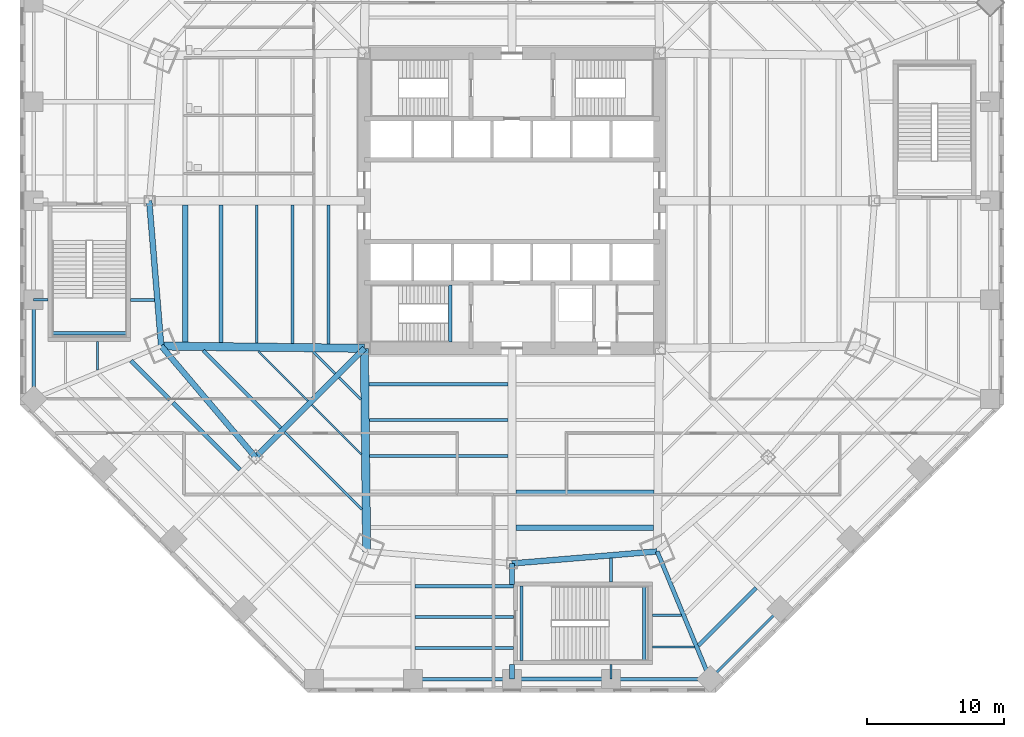
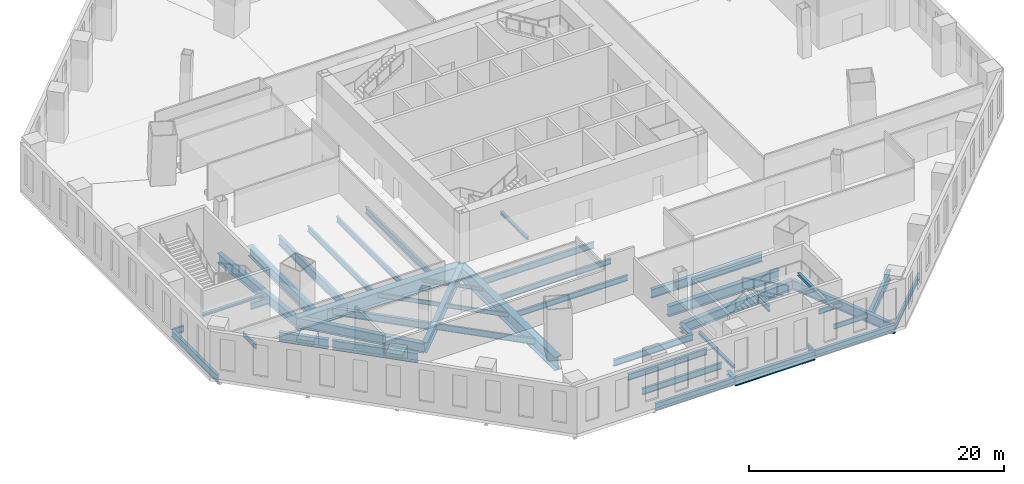
# One storey, part 2 of 19: 43 beams, 4 members.
"""IFC4 building model written with IfcOpenShell, lengths in metres."""

from ifc_helpers import new_model, si_unit, direction, frame, origin, origin_2d, place, context, subcontext, project, spatial, i_section, extrude, source, transform, mapped, material, material_profile, profile_set, type_object, type_shapes, element, save


model = new_model("IFC4")

# Units and contexts
model_context = context("Model", 3, precision=1e-05, world=origin(), true_north=direction((0.0, 1.0)))
body_context = subcontext(model_context, "Body", "Model", "MODEL_VIEW")
ifc_project = project(units=[si_unit("LENGTHUNIT", "METRE"), si_unit("AREAUNIT", "SQUARE_METRE"), si_unit("VOLUMEUNIT", "CUBIC_METRE"), si_unit("PLANEANGLEUNIT", "RADIAN"), si_unit("MASSUNIT", "GRAM", prefix="KILO")], contexts=[model_context])

# Site, building, storey
site_placement = place(None, origin())
site = spatial("IfcSite", under=ifc_project, at=site_placement, CompositionType="ELEMENT")
building_placement = place(site_placement, origin())
building = spatial("IfcBuilding", under=site, at=building_placement, Name="Mashrafa Tower", CompositionType="ELEMENT")
storey_placement = place(building_placement, frame((0.0, 0.0, 24.0)))
storey = spatial("IfcBuildingStorey", under=building, at=storey_placement, Name="L04", CompositionType="ELEMENT", Elevation=24.0)

# Beams
ifc_material_1 = material(Name="Steel ASTM A572 Gr 50", Category="steel")
ifc_material_profile_1 = material_profile(ifc_material_1, i_section(OverallWidth=0.60009765625, OverallDepth=1.300048828125, WebThickness=0.028076171875, FlangeThickness=0.06494140625, at=origin_2d()), Name="H1300X600X28X65")
ifc_profile_set_1 = profile_set([ifc_material_profile_1], Name="Steel ASTM A572 Gr 50")
beam_type_1 = type_object("IfcBeamType", Name="Beam H1300X600X28X65", PredefinedType="BEAM", material=ifc_profile_set_1)
for number, where, z_axis, x_axis, name in (
    (1, (-10.800048828125, -10.800048828125, -0.949951171875), (-0.999935429535, 0.011363835661, 0.0), (-0.011363835661, -0.999935429535, 0.0), "Radial girder L04 209"),
    (2, (-10.800048828125, -10.800048828125, -0.949951171875), (0.011363835661, -0.999935429535, 0.0), (0.999935429535, 0.011363835661, 0.0), "Radial girder L04 211"),
):
    element("IfcBeam", number, at=place(storey_placement, frame(where, z_axis=z_axis, x_axis=x_axis)), inside=storey, type_object=beam_type_1, Name=name, PredefinedType="BEAM", context=body_context, shape_type="SweptSolid", body=[
        extrude(i_section(OverallWidth=0.60009765625, OverallDepth=1.300048828125, WebThickness=0.028076171875, FlangeThickness=0.06494140625, at=origin_2d()), origin(), (0.0, 0.0, 1.0), 14.866943359375),
    ])
ifc_material_2 = material(Name="Steel ASTM A992", Category="steel")
ifc_material_profile_2 = material_profile(ifc_material_2, i_section(OverallWidth=0.164794921875, OverallDepth=0.309814453125, WebThickness=0.005859375, FlangeThickness=0.009765625, FilletRadius=0.007568359375, at=origin_2d()), Name="W12X26")
ifc_profile_set_2 = profile_set([ifc_material_profile_2], Name="Steel ASTM A992")
beam_type_2 = type_object("IfcBeamType", Name="Beam W12X26", PredefinedType="BEAM", material=ifc_profile_set_2)
for number, where, z_axis, x_axis, name in (
    (3, (-12.9423828125, -12.642333984375, -0.454833984375), (-0.707106781187, 0.707106781187, 0.0), (-0.707106781187, -0.707106781187, 0.0), "Floor beam L04 037"),
    (4, (-11.0576171875, -14.527099609375, -0.454833984375), (-0.707106781187, 0.707106781187, 0.0), (-0.707106781187, -0.707106781187, 0.0), "Floor beam L04 043"),
):
    element("IfcBeam", number, at=place(storey_placement, frame(where, z_axis=z_axis, x_axis=x_axis)), inside=storey, type_object=beam_type_2, Name=name, PredefinedType="BEAM", context=body_context, shape_type="SweptSolid", body=[
        extrude(i_section(OverallWidth=0.164794921875, OverallDepth=0.309814453125, WebThickness=0.005859375, FlangeThickness=0.009765625, FilletRadius=0.007568359375, at=origin_2d()), origin(), (0.0, 0.0, 1.0), 2.2412109375),
    ])
ifc_material_3 = material(Name="Steel ASTM A992", Category="steel")
ifc_material_profile_3 = material_profile(ifc_material_3, i_section(OverallWidth=0.140380859375, OverallDepth=0.40380859375, WebThickness=0.007080078125, FlangeThickness=0.01123046875, FilletRadius=0.01025390625, at=origin_2d()), Name="W16X31")
ifc_profile_set_3 = profile_set([ifc_material_profile_3], Name="Steel ASTM A992")
beam_type_3 = type_object("IfcBeamType", Name="Beam W16X31", PredefinedType="BEAM", material=ifc_profile_set_3)
for number, where, z_axis, x_axis, name in (
    (5, (-14.934814453125, -14.634765625, -0.501953125), (-0.707106781187, 0.707106781187, 0.0), (-0.707106781187, -0.707106781187, 0.0), "Floor beam L04 031"),
    (6, (-11.011962890625, -18.5576171875, -0.501953125), (-0.707106781187, 0.707106781187, 0.0), (-0.707106781187, -0.707106781187, 0.0), "Floor beam L04 046"),
):
    element("IfcBeam", number, at=place(storey_placement, frame(where, z_axis=z_axis, x_axis=x_axis)), inside=storey, type_object=beam_type_3, Name=name, PredefinedType="BEAM", context=body_context, shape_type="SweptSolid", body=[
        extrude(i_section(OverallWidth=0.140380859375, OverallDepth=0.40380859375, WebThickness=0.007080078125, FlangeThickness=0.01123046875, FilletRadius=0.01025390625, at=origin_2d()), origin(), (0.0, 0.0, 1.0), 5.12353515625),
    ])
ifc_material_4 = material(Name="Steel ASTM A992", Category="steel")
ifc_material_profile_4 = material_profile(ifc_material_4, i_section(OverallWidth=0.15234375, OverallDepth=0.449462890625, WebThickness=0.007568359375, FlangeThickness=0.0107421875, FilletRadius=0.01025390625, at=origin_2d()), Name="W18X35")
ifc_profile_set_4 = profile_set([ifc_material_profile_4], Name="Steel ASTM A992")
beam_type_4 = type_object("IfcBeamType", Name="Beam W18X35", PredefinedType="BEAM", material=ifc_profile_set_4)
for number, where, z_axis, x_axis, name in (
    (7, (-30.3330078125, -12.398193359375, -0.52490234375), (0.0, 1.0, 0.0), (-1.0, 0.0, 0.0), "Floor beam L04 006"),
    (8, (12.398193359375, -30.3330078125, -0.52490234375), (-1.0, 0.0, 0.0), (0.0, -1.0, 0.0), "Floor beam L04 081"),
):
    element("IfcBeam", number, at=place(storey_placement, frame(where, z_axis=z_axis, x_axis=x_axis)), inside=storey, type_object=beam_type_4, Name=name, PredefinedType="BEAM", context=body_context, shape_type="SweptSolid", body=[
        extrude(i_section(OverallWidth=0.15234375, OverallDepth=0.449462890625, WebThickness=0.007568359375, FlangeThickness=0.0107421875, FilletRadius=0.01025390625, at=origin_2d()), origin(), (0.0, 0.0, 1.0), 2.09814453125),
    ])
beam_1_placement = place(storey_placement, frame((13.364501953125, -32.66650390625, -0.52490234375), z_axis=(-1.0, 0.0, 0.0), x_axis=(0.0, -1.0, 0.0)))
element("IfcBeam", 9, at=beam_1_placement, inside=storey, type_object=beam_type_4, Name="Floor beam L04 087", PredefinedType="BEAM", context=body_context, shape_type="SweptSolid", body=[
    extrude(i_section(OverallWidth=0.15234375, OverallDepth=0.449462890625, WebThickness=0.007568359375, FlangeThickness=0.0107421875, FilletRadius=0.01025390625, at=origin_2d()), origin(), (0.0, 0.0, 1.0), 3.064453125),
])
ifc_material_5 = material(Name="Steel ASTM A992", Category="steel")
ifc_material_profile_5 = material_profile(ifc_material_5, i_section(OverallWidth=0.209228515625, OverallDepth=0.533447265625, WebThickness=0.01025390625, FlangeThickness=0.015625, FilletRadius=0.012939453125, at=origin_2d()), Name="W21X62")
ifc_profile_set_5 = profile_set([ifc_material_profile_5], Name="Steel ASTM A992")
beam_type_5 = type_object("IfcBeamType", Name="Beam W21X62", PredefinedType="BEAM", material=ifc_profile_set_5)
beam_2_placement = place(storey_placement, frame((-18.672119140625, -10.41064453125, -0.566650390625), z_axis=(0.0, 1.0, 0.0), x_axis=(-1.0, 0.0, 0.0)))
element("IfcBeam", 10, at=beam_2_placement, inside=storey, type_object=beam_type_5, Name="Floor beam L04 024", PredefinedType="BEAM", context=body_context, shape_type="SweptSolid", body=[
    extrude(i_section(OverallWidth=0.209228515625, OverallDepth=0.533447265625, WebThickness=0.01025390625, FlangeThickness=0.015625, FilletRadius=0.012939453125, at=origin_2d()), origin(), (0.0, 0.0, 1.0), 10.110595703125),
])
beam_3_placement = place(storey_placement, frame((-16.048095703125, -10.4404296875, -0.566650390625), z_axis=(0.0, 1.0, 0.0), x_axis=(-1.0, 0.0, 0.0)))
element("IfcBeam", 11, at=beam_3_placement, inside=storey, type_object=beam_type_5, Name="Floor beam L04 028", PredefinedType="BEAM", context=body_context, shape_type="SweptSolid", body=[
    extrude(i_section(OverallWidth=0.209228515625, OverallDepth=0.533447265625, WebThickness=0.01025390625, FlangeThickness=0.015625, FilletRadius=0.012939453125, at=origin_2d()), origin(), (0.0, 0.0, 1.0), 10.140380859375),
])
beam_4_placement = place(storey_placement, frame((-0.300048828125, -18.672119140625, -0.566650390625), z_axis=(-1.0, 0.0, 0.0), x_axis=(0.0, -1.0, 0.0)))
element("IfcBeam", 12, at=beam_4_placement, inside=storey, type_object=beam_type_5, Name="Floor beam L04 058", PredefinedType="BEAM", context=body_context, shape_type="SweptSolid", body=[
    extrude(i_section(OverallWidth=0.209228515625, OverallDepth=0.533447265625, WebThickness=0.01025390625, FlangeThickness=0.015625, FilletRadius=0.012939453125, at=origin_2d()), origin(), (0.0, 0.0, 1.0), 10.110595703125),
])
beam_5_placement = place(storey_placement, frame((-0.300048828125, -16.048095703125, -0.566650390625), z_axis=(-1.0, 0.0, 0.0), x_axis=(0.0, -1.0, 0.0)))
element("IfcBeam", 13, at=beam_5_placement, inside=storey, type_object=beam_type_5, Name="Floor beam L04 059", PredefinedType="BEAM", context=body_context, shape_type="SweptSolid", body=[
    extrude(i_section(OverallWidth=0.209228515625, OverallDepth=0.533447265625, WebThickness=0.01025390625, FlangeThickness=0.015625, FilletRadius=0.012939453125, at=origin_2d()), origin(), (0.0, 0.0, 1.0), 10.140380859375),
])
ifc_material_6 = material(Name="Steel ASTM A992", Category="steel")
ifc_material_profile_6 = material_profile(ifc_material_6, i_section(OverallWidth=0.177978515625, OverallDepth=0.599365234375, WebThickness=0.010009765625, FlangeThickness=0.012939453125, FilletRadius=0.012939453125, at=origin_2d()), Name="W24X55")
ifc_profile_set_6 = profile_set([ifc_material_profile_6], Name="Steel ASTM A992")
beam_type_6 = type_object("IfcBeamType", Name="Beam W24X55", PredefinedType="BEAM", material=ifc_profile_set_6)
beam_6_placement = place(storey_placement, frame((-10.96630859375, -22.588134765625, -0.599609375), z_axis=(-0.707106781187, 0.707106781187, 0.0), x_axis=(-0.707106781187, -0.707106781187, 0.0)))
element("IfcBeam", 14, at=beam_6_placement, inside=storey, type_object=beam_type_6, Name="Floor beam L04 048", PredefinedType="BEAM", context=body_context, shape_type="SweptSolid", body=[
    extrude(i_section(OverallWidth=0.177978515625, OverallDepth=0.599365234375, WebThickness=0.010009765625, FlangeThickness=0.012939453125, FilletRadius=0.012939453125, at=origin_2d()), origin(), (0.0, 0.0, 1.0), 8.005615234375),
])
beam_7_placement = place(storey_placement, frame((14.49755859375, -35.0, -0.599609375), z_axis=(0.707106781187, 0.707106781187, 0.0), x_axis=(-0.707106781187, 0.707106781187, 0.0)))
element("IfcBeam", 15, at=beam_7_placement, inside=storey, type_object=beam_type_6, Name="Podium edge beam L04 140", PredefinedType="BEAM", context=body_context, shape_type="SweptSolid", body=[
    extrude(i_section(OverallWidth=0.177978515625, OverallDepth=0.599365234375, WebThickness=0.010009765625, FlangeThickness=0.012939453125, FilletRadius=0.012939453125, at=origin_2d()), origin(), (0.0, 0.0, 1.0), 7.24853515625),
])
ifc_material_7 = material(Name="Steel ASTM A992", Category="steel")
ifc_material_profile_7 = material_profile(ifc_material_7, i_section(OverallWidth=0.227783203125, OverallDepth=0.60205078125, WebThickness=0.010498046875, FlangeThickness=0.014892578125, FilletRadius=0.012939453125, at=origin_2d()), Name="W24X68")
ifc_profile_set_7 = profile_set([ifc_material_profile_7], Name="Steel ASTM A992")
beam_type_7 = type_object("IfcBeamType", Name="Beam W24X68", PredefinedType="BEAM", material=ifc_profile_set_7)
for number, where, z_axis, x_axis, name in (
    (16, (0.10009765625, -32.736328125, -0.60107421875), (-1.0, 0.0, 0.0), (0.0, -1.0, 0.0), "Floor beam L04 066"),
    (17, (0.10009765625, -30.472900390625, -0.60107421875), (-1.0, 0.0, 0.0), (0.0, -1.0, 0.0), "Floor beam L04 067"),
):
    element("IfcBeam", number, at=place(storey_placement, frame(where, z_axis=z_axis, x_axis=x_axis)), inside=storey, type_object=beam_type_7, Name=name, PredefinedType="BEAM", context=body_context, shape_type="SweptSolid", body=[
        extrude(i_section(OverallWidth=0.227783203125, OverallDepth=0.60205078125, WebThickness=0.010498046875, FlangeThickness=0.014892578125, FilletRadius=0.012939453125, at=origin_2d()), origin(), (0.0, 0.0, 1.0), 7.195068359375),
    ])
for number, where, z_axis, x_axis, name in (
    (18, (-26.15576171875, -7.248779296875, -0.60107421875), (-1.0, 0.0, 0.0), (0.0, -1.0, 0.0), "Podium radial beam L04 156"),
    (19, (7.248779296875, -26.15576171875, -0.60107421875), (0.0, -1.0, 0.0), (1.0, 0.0, 0.0), "Podium radial beam L04 176"),
):
    element("IfcBeam", number, at=place(storey_placement, frame(where, z_axis=z_axis, x_axis=x_axis)), inside=storey, type_object=beam_type_7, Name=name, PredefinedType="BEAM", context=body_context, shape_type="SweptSolid", body=[
        extrude(i_section(OverallWidth=0.227783203125, OverallDepth=0.60205078125, WebThickness=0.010498046875, FlangeThickness=0.014892578125, FilletRadius=0.012939453125, at=origin_2d()), origin(), (0.0, 0.0, 1.0), 1.744140625),
    ])
ifc_material_8 = material(Name="Steel ASTM A992", Category="steel")
ifc_material_profile_8 = material_profile(ifc_material_8, i_section(OverallWidth=0.228271484375, OverallDepth=0.607177734375, WebThickness=0.01123046875, FlangeThickness=0.017333984375, FilletRadius=0.0126953125, at=origin_2d()), Name="W24X76")
ifc_profile_set_8 = profile_set([ifc_material_profile_8], Name="Steel ASTM A992")
beam_type_8 = type_object("IfcBeamType", Name="Beam W24X76", PredefinedType="BEAM", material=ifc_profile_set_8)
for number, where, z_axis, x_axis, name in (
    (20, (-13.424072265625, -10.47021484375, -0.603515625), (0.0, 1.0, 0.0), (-1.0, 0.0, 0.0), "Floor beam L04 035"),
    (21, (-0.300048828125, -13.424072265625, -0.603515625), (-1.0, 0.0, 0.0), (0.0, -1.0, 0.0), "Floor beam L04 060"),
):
    element("IfcBeam", number, at=place(storey_placement, frame(where, z_axis=z_axis, x_axis=x_axis)), inside=storey, type_object=beam_type_8, Name=name, PredefinedType="BEAM", context=body_context, shape_type="SweptSolid", body=[
        extrude(i_section(OverallWidth=0.228271484375, OverallDepth=0.607177734375, WebThickness=0.01123046875, FlangeThickness=0.017333984375, FilletRadius=0.0126953125, at=origin_2d()), origin(), (0.0, 0.0, 1.0), 10.170166015625),
    ])
ifc_material_9 = material(Name="Steel ASTM A992", Category="steel")
ifc_material_profile_9 = material_profile(ifc_material_9, i_section(OverallWidth=0.22900390625, OverallDepth=0.612060546875, WebThickness=0.011962890625, FlangeThickness=0.01953125, FilletRadius=0.0126953125, at=origin_2d()), Name="W24X84")
ifc_profile_set_9 = profile_set([ifc_material_profile_9], Name="Steel ASTM A992")
beam_type_9 = type_object("IfcBeamType", Name="Beam W24X84", PredefinedType="BEAM", material=ifc_profile_set_9)
beam_8_placement = place(storey_placement, frame((0.10009765625, -28.208984375, -0.60595703125), z_axis=(-1.0, 0.0, 0.0), x_axis=(0.0, -1.0, 0.0)))
element("IfcBeam", 22, at=beam_8_placement, inside=storey, type_object=beam_type_9, Name="Floor beam L04 068", PredefinedType="BEAM", context=body_context, shape_type="SweptSolid", body=[
    extrude(i_section(OverallWidth=0.22900390625, OverallDepth=0.612060546875, WebThickness=0.011962890625, FlangeThickness=0.01953125, FilletRadius=0.0126953125, at=origin_2d()), origin(), (0.0, 0.0, 1.0), 7.195068359375),
])
ifc_material_10 = material(Name="Steel ASTM A992", Category="steel")
ifc_material_profile_10 = material_profile(ifc_material_10, i_section(OverallWidth=0.256591796875, OverallDepth=0.693359375, WebThickness=0.014404296875, FlangeThickness=0.023681640625, FilletRadius=0.01513671875, at=origin_2d()), Name="W27X114")
ifc_profile_set_10 = profile_set([ifc_material_profile_10], Name="Steel ASTM A992")
beam_type_10 = type_object("IfcBeamType", Name="Beam W27X114", PredefinedType="BEAM", material=ifc_profile_set_10)
beam_9_placement = place(storey_placement, frame((-16.92724609375, -16.627197265625, -0.646728515625), z_axis=(-0.707106781187, 0.707106781187, 0.0), x_axis=(-0.707106781187, -0.707106781187, 0.0)))
element("IfcBeam", 23, at=beam_9_placement, inside=storey, type_object=beam_type_10, Name="Floor beam L04 026", PredefinedType="BEAM", context=body_context, shape_type="SweptSolid", body=[
    extrude(i_section(OverallWidth=0.256591796875, OverallDepth=0.693359375, WebThickness=0.014404296875, FlangeThickness=0.023681640625, FilletRadius=0.01513671875, at=origin_2d()), origin(), (0.0, 0.0, 1.0), 8.005615234375),
])
ifc_material_11 = material(Name="Steel ASTM A992", Category="steel")
ifc_material_profile_11 = material_profile(ifc_material_11, i_section(OverallWidth=0.25390625, OverallDepth=0.683349609375, WebThickness=0.012451171875, FlangeThickness=0.01904296875, FilletRadius=0.01513671875, at=origin_2d()), Name="W27X94")
ifc_profile_set_11 = profile_set([ifc_material_profile_11], Name="Steel ASTM A992")
beam_type_11 = type_object("IfcBeamType", Name="Beam W27X94", PredefinedType="BEAM", material=ifc_profile_set_11)
for number, where, z_axis, x_axis, name in (
    (24, (-35.0, -7.248779296875, -0.6416015625), (0.0, -1.0, 0.0), (1.0, 0.0, 0.0), "Podium edge beam L04 122"),
    (25, (-7.248779296875, -35.0, -0.6416015625), (1.0, 0.0, 0.0), (0.0, 1.0, 0.0), "Podium edge beam L04 134"),
    (26, (7.248779296875, -35.0, -0.6416015625), (1.0, 0.0, 0.0), (0.0, 1.0, 0.0), "Podium edge beam L04 138"),
):
    element("IfcBeam", number, at=place(storey_placement, frame(where, z_axis=z_axis, x_axis=x_axis)), inside=storey, type_object=beam_type_11, Name=name, PredefinedType="BEAM", context=body_context, shape_type="SweptSolid", body=[
        extrude(i_section(OverallWidth=0.25390625, OverallDepth=0.683349609375, WebThickness=0.012451171875, FlangeThickness=0.01904296875, FilletRadius=0.01513671875, at=origin_2d()), origin(), (0.0, 0.0, 1.0), 7.248779296875),
    ])
ifc_material_12 = material(Name="Steel ASTM A992", Category="steel")
ifc_material_profile_12 = material_profile(ifc_material_12, i_section(OverallWidth=0.2919921875, OverallDepth=0.8408203125, WebThickness=0.0146484375, FlangeThickness=0.021728515625, FilletRadius=0.017333984375, at=origin_2d()), Name="W33X130")
ifc_profile_set_12 = profile_set([ifc_material_profile_12], Name="Steel ASTM A992")
beam_type_12 = type_object("IfcBeamType", Name="Beam W33X130", PredefinedType="BEAM", material=ifc_profile_set_12)
for number, where, z_axis, x_axis, name in (
    (27, (-21.296142578125, -10.380859375, -0.720458984375), (0.0, 1.0, 0.0), (-1.0, 0.0, 0.0), "Floor beam L04 019"),
    (28, (10.380859375, -21.296142578125, -0.720458984375), (-1.0, 0.0, 0.0), (0.0, -1.0, 0.0), "Floor beam L04 074"),
):
    element("IfcBeam", number, at=place(storey_placement, frame(where, z_axis=z_axis, x_axis=x_axis)), inside=storey, type_object=beam_type_12, Name=name, PredefinedType="BEAM", context=body_context, shape_type="SweptSolid", body=[
        extrude(i_section(OverallWidth=0.2919921875, OverallDepth=0.8408203125, WebThickness=0.0146484375, FlangeThickness=0.021728515625, FilletRadius=0.017333984375, at=origin_2d()), origin(), (0.0, 0.0, 1.0), 10.080810546875),
    ])
ifc_material_13 = material(Name="Steel ASTM A992", Category="steel")
ifc_material_profile_13 = material_profile(ifc_material_13, i_section(OverallWidth=0.2919921875, OverallDepth=0.845703125, WebThickness=0.015380859375, FlangeThickness=0.0244140625, FilletRadius=0.017333984375, at=origin_2d()), Name="W33X141")
ifc_profile_set_13 = profile_set([ifc_material_profile_13], Name="Steel ASTM A992")
beam_type_13 = type_object("IfcBeamType", Name="Beam W33X141", PredefinedType="BEAM", material=ifc_profile_set_13)
beam_10_placement = place(storey_placement, frame((0.0, -35.0, -0.722900390625), z_axis=(1.0, 0.0, 0.0), x_axis=(0.0, 1.0, 0.0)))
element("IfcBeam", 29, at=beam_10_placement, inside=storey, type_object=beam_type_13, Name="Podium edge beam L04 136", PredefinedType="BEAM", context=body_context, shape_type="SweptSolid", body=[
    extrude(i_section(OverallWidth=0.2919921875, OverallDepth=0.845703125, WebThickness=0.015380859375, FlangeThickness=0.0244140625, FilletRadius=0.017333984375, at=origin_2d()), origin(), (0.0, 0.0, 1.0), 7.248779296875),
])
ifc_material_14 = material(Name="Steel ASTM A992", Category="steel")
ifc_material_profile_14 = material_profile(ifc_material_14, i_section(OverallWidth=0.3046875, OverallDepth=0.911865234375, WebThickness=0.015869140625, FlangeThickness=0.02392578125, FilletRadius=0.01904296875, at=origin_2d()), Name="W36X150")
ifc_profile_set_14 = profile_set([ifc_material_profile_14], Name="Steel ASTM A992")
beam_type_14 = type_object("IfcBeamType", Name="Beam W36X150", PredefinedType="BEAM", material=ifc_profile_set_14)
beam_11_placement = place(storey_placement, frame((-19.902099609375, -19.6953125, -0.755859375), z_axis=(-0.707106781187, 0.707106781187, 0.0), x_axis=(-0.707106781187, -0.707106781187, 0.0)))
element("IfcBeam", 30, at=beam_11_placement, inside=storey, type_object=beam_type_14, Name="Floor beam L04 021 part 1", PredefinedType="BEAM", context=body_context, shape_type="SweptSolid", body=[
    extrude(i_section(OverallWidth=0.3046875, OverallDepth=0.911865234375, WebThickness=0.015869140625, FlangeThickness=0.02392578125, FilletRadius=0.01904296875, at=origin_2d()), origin(), (0.0, 0.0, 1.0), 6.94873046875),
])
beam_12_placement = place(storey_placement, frame((-25.033203125, -14.564208984375, -0.755859375), z_axis=(-0.707106781187, 0.707106781187, 0.0), x_axis=(-0.707106781187, -0.707106781187, 0.0)))
element("IfcBeam", 31, at=beam_12_placement, inside=storey, type_object=beam_type_14, Name="Floor beam L04 021 part 2", PredefinedType="BEAM", context=body_context, shape_type="SweptSolid", body=[
    extrude(i_section(OverallWidth=0.3046875, OverallDepth=0.911865234375, WebThickness=0.015869140625, FlangeThickness=0.02392578125, FilletRadius=0.01904296875, at=origin_2d()), origin(), (0.0, 0.0, 1.0), 4.02880859375),
])
beam_13_placement = place(storey_placement, frame((17.864501953125, -28.3330078125, -0.755859375), z_axis=(-0.707127254781, -0.707086306999, 0.0), x_axis=(0.707086306999, -0.707127254781, 0.0)))
element("IfcBeam", 32, at=beam_13_placement, inside=storey, type_object=beam_type_14, Name="Floor beam L04 106 part 2", PredefinedType="BEAM", context=body_context, shape_type="SweptSolid", body=[
    extrude(i_section(OverallWidth=0.3046875, OverallDepth=0.911865234375, WebThickness=0.015869140625, FlangeThickness=0.02392578125, FilletRadius=0.01904296875, at=origin_2d()), origin(), (0.0, 0.0, 1.0), 5.962158203125),
])
ifc_material_15 = material(Name="Steel ASTM A992", Category="steel")
ifc_material_profile_15 = material_profile(ifc_material_15, i_section(OverallWidth=0.307373046875, OverallDepth=0.927001953125, WebThickness=0.01953125, FlangeThickness=0.031982421875, FilletRadius=0.01904296875, at=origin_2d()), Name="W36X194")
ifc_profile_set_15 = profile_set([ifc_material_profile_15], Name="Steel ASTM A992")
beam_type_15 = type_object("IfcBeamType", Name="Beam W36X194", PredefinedType="BEAM", material=ifc_profile_set_15)
beam_14_placement = place(storey_placement, frame((10.631103515625, -25.666015625, -0.763671875), z_axis=(0.382699666719, -0.923872807855, 0.0), x_axis=(0.923872807855, 0.382699666719, 0.0)))
element("IfcBeam", 33, at=beam_14_placement, inside=storey, type_object=beam_type_15, Name="Podium radial beam L04 178", PredefinedType="BEAM", context=body_context, shape_type="SweptSolid", body=[
    extrude(i_section(OverallWidth=0.307373046875, OverallDepth=0.927001953125, WebThickness=0.01953125, FlangeThickness=0.031982421875, FilletRadius=0.01904296875, at=origin_2d()), origin(), (0.0, 0.0, 1.0), 10.10302734375),
])
ifc_material_16 = material(Name="Steel ASTM A992", Category="steel")
ifc_material_profile_16 = material_profile(ifc_material_16, i_section(OverallWidth=0.419189453125, OverallDepth=0.927001953125, WebThickness=0.019287109375, FlangeThickness=0.031982421875, FilletRadius=0.020263671875, at=origin_2d()), Name="W36X231")
ifc_profile_set_16 = profile_set([ifc_material_profile_16], Name="Steel ASTM A992")
beam_type_16 = type_object("IfcBeamType", Name="Beam W36X231", PredefinedType="BEAM", material=ifc_profile_set_16)
beam_15_placement = place(storey_placement, frame((-26.544189453125, 0.0, -0.763671875), z_axis=(0.082323813652, -0.996605633993, 0.0), x_axis=(0.996605633993, 0.082323813652, 0.0)))
element("IfcBeam", 34, at=beam_15_placement, inside=storey, type_object=beam_type_16, Name="Podium ring girder L04 193", PredefinedType="BEAM", context=body_context, shape_type="SweptSolid", body=[
    extrude(i_section(OverallWidth=0.419189453125, OverallDepth=0.927001953125, WebThickness=0.019287109375, FlangeThickness=0.031982421875, FilletRadius=0.020263671875, at=origin_2d()), origin(), (0.0, 0.0, 1.0), 10.667236328125),
])
beam_16_placement = place(storey_placement, frame((-25.666015625, -10.631103515625, -0.763671875), z_axis=(0.646495054793, -0.762918176562, 0.0), x_axis=(0.762918176562, 0.646495054793, 0.0)))
element("IfcBeam", 35, at=beam_16_placement, inside=storey, type_object=beam_type_16, Name="Podium ring girder L04 194", PredefinedType="BEAM", context=body_context, shape_type="SweptSolid", body=[
    extrude(i_section(OverallWidth=0.419189453125, OverallDepth=0.927001953125, WebThickness=0.019287109375, FlangeThickness=0.031982421875, FilletRadius=0.020263671875, at=origin_2d()), origin(), (0.0, 0.0, 1.0), 10.66748046875),
])
beam_17_placement = place(storey_placement, frame((0.0, -26.544189453125, -0.763671875), z_axis=(0.996605633993, 0.082323813652, 0.0), x_axis=(-0.082323813652, 0.996605633993, 0.0)))
element("IfcBeam", 36, at=beam_17_placement, inside=storey, type_object=beam_type_16, Name="Podium ring girder L04 200", PredefinedType="BEAM", context=body_context, shape_type="SweptSolid", body=[
    extrude(i_section(OverallWidth=0.419189453125, OverallDepth=0.927001953125, WebThickness=0.019287109375, FlangeThickness=0.031982421875, FilletRadius=0.020263671875, at=origin_2d()), origin(), (0.0, 0.0, 1.0), 10.667236328125),
])
ifc_material_17 = material(Name="Steel ASTM A992", Category="steel")
ifc_material_profile_17 = material_profile(ifc_material_17, i_section(OverallWidth=0.424072265625, OverallDepth=0.960205078125, WebThickness=0.028564453125, FlangeThickness=0.051025390625, FilletRadius=0.02001953125, at=origin_2d()), Name="W36X361")
ifc_profile_set_17 = profile_set([ifc_material_profile_17], Name="Steel ASTM A992")
beam_type_17 = type_object("IfcBeamType", Name="Beam W36X361", PredefinedType="BEAM", material=ifc_profile_set_17)
beam_18_placement = place(storey_placement, frame((-10.800048828125, -10.800048828125, -0.780029296875), z_axis=(-0.707106781187, -0.707106781187, 0.0), x_axis=(0.707106781187, -0.707106781187, 0.0)))
element("IfcBeam", 37, at=beam_18_placement, inside=storey, type_object=beam_type_17, Name="Radial girder L04 210", PredefinedType="BEAM", context=body_context, shape_type="SweptSolid", body=[
    extrude(i_section(OverallWidth=0.424072265625, OverallDepth=0.960205078125, WebThickness=0.028564453125, FlangeThickness=0.051025390625, FilletRadius=0.02001953125, at=origin_2d()), origin(), (0.0, 0.0, 1.0), 11.2705078125),
])
ifc_material_18 = material(Name="Steel ASTM A992", Category="steel")
ifc_material_profile_18 = material_profile(ifc_material_18, i_section(OverallWidth=0.4013671875, OverallDepth=1.010986328125, WebThickness=0.023681640625, FlangeThickness=0.0419921875, FilletRadius=0.02001953125, at=origin_2d()), Name="W40X297")
ifc_profile_set_18 = profile_set([ifc_material_profile_18], Name="Steel ASTM A992")
beam_type_18 = type_object("IfcBeamType", Name="Beam W40X297", PredefinedType="BEAM", material=ifc_profile_set_18)
for number, where, z_axis, x_axis, name in (
    (38, (-23.92041015625, -10.35107421875, -0.805419921875), (0.0, 1.0, 0.0), (-1.0, 0.0, 0.0), "Floor beam L04 012"),
    (39, (10.35107421875, -23.92041015625, -0.805419921875), (-1.0, 0.0, 0.0), (0.0, -1.0, 0.0), "Floor beam L04 072"),
):
    element("IfcBeam", number, at=place(storey_placement, frame(where, z_axis=z_axis, x_axis=x_axis)), inside=storey, type_object=beam_type_18, Name=name, PredefinedType="BEAM", context=body_context, shape_type="SweptSolid", body=[
        extrude(i_section(OverallWidth=0.4013671875, OverallDepth=1.010986328125, WebThickness=0.023681640625, FlangeThickness=0.0419921875, FilletRadius=0.02001953125, at=origin_2d()), origin(), (0.0, 0.0, 1.0), 10.051025390625),
    ])
ifc_material_19 = material(Name="Steel ASTM A992", Category="steel")
ifc_material_profile_19 = material_profile(ifc_material_19, i_section(OverallWidth=0.25390625, OverallDepth=0.25390625, WebThickness=0.008544921875, FlangeThickness=0.01416015625, FilletRadius=0.010009765625, at=origin_2d()), Name="W10X49")
ifc_profile_set_19 = profile_set([ifc_material_profile_19], Name="Steel ASTM A992")
beam_type_19 = type_object("IfcBeamType", Name="Hoistway beam W10X49", PredefinedType="BEAM", material=ifc_profile_set_19)
beam_19_placement = place(storey_placement, frame((-4.530029296875, -10.35009765625, -0.427001953125), z_axis=(0.0, 1.0, 0.0), x_axis=(-1.0, 0.0, 0.0)))
element("IfcBeam", 40, at=beam_19_placement, inside=storey, type_object=beam_type_19, Name="Stair S3 landing beam L04", PredefinedType="BEAM", context=body_context, shape_type="SweptSolid", body=[
    extrude(i_section(OverallWidth=0.25390625, OverallDepth=0.25390625, WebThickness=0.008544921875, FlangeThickness=0.01416015625, FilletRadius=0.010009765625, at=origin_2d()), origin(), (0.0, 0.0, 1.0), 4.2001953125),
])
for number, where, z_axis, x_axis, name in (
    (41, (-33.64990234375, -9.699951171875, 2.072998046875), (1.0, 0.0, 0.0), (0.0, 1.0, 0.0), "Stair P3 landing beam L04"),
    (42, (0.699951171875, -33.64990234375, -0.427001953125), (0.0, 1.0, 0.0), (-1.0, 0.0, 0.0), "Stair P4 landing beam L04"),
    (43, (9.699951171875, -33.64990234375, 2.072998046875), (0.0, 1.0, 0.0), (-1.0, 0.0, 0.0), "Stair P4 landing beam L04"),
):
    element("IfcBeam", number, at=place(storey_placement, frame(where, z_axis=z_axis, x_axis=x_axis)), inside=storey, type_object=beam_type_19, Name=name, PredefinedType="BEAM", context=body_context, shape_type="SweptSolid", body=[
        extrude(i_section(OverallWidth=0.25390625, OverallDepth=0.25390625, WebThickness=0.008544921875, FlangeThickness=0.01416015625, FilletRadius=0.010009765625, at=origin_2d()), origin(), (0.0, 0.0, 1.0), 5.449951171875),
    ])

# Members
ifc_material_20 = material(Name="Steel ASTM A992", Category="steel")
ifc_material_profile_20 = material_profile(ifc_material_20, i_section(OverallWidth=0.177978515625, OverallDepth=0.599365234375, WebThickness=0.010009765625, FlangeThickness=0.012939453125, FilletRadius=0.012939453125, at=origin_2d()), Name="W24X55")
ifc_profile_set_20 = profile_set([ifc_material_profile_20], Name="Steel ASTM A992")
member_type_1 = type_object("IfcMemberType", Name="Tie strut W24X55", PredefinedType="STRUT", material=ifc_profile_set_20)
shared_shape_1 = source(origin(), body_context, "Body", "SweptSolid", [
    extrude(i_section(OverallWidth=0.177978515625, OverallDepth=0.599365234375, WebThickness=0.010009765625, FlangeThickness=0.012939453125, FilletRadius=0.012939453125, at=origin_2d()), origin(), (0.0, 0.0, 1.0), 1.050048828125),
])
type_shapes(member_type_1, [shared_shape_1])
for number, where, z_axis, x_axis, name in (
    (44, (-33.949951171875, -7.248779296875, -0.599609375), (-1.0, 0.0, 0.0), (0.0, -1.0, 0.0), "Tie strut L04 153"),
    (45, (7.248779296875, -33.949951171875, -0.599609375), (0.0, -1.0, 0.0), (1.0, 0.0, 0.0), "Tie strut L04 175"),
):
    element("IfcMember", number, at=place(storey_placement, frame(where, z_axis=z_axis, x_axis=x_axis)), inside=storey, type_object=member_type_1, Name=name, PredefinedType="STRUT", context=body_context, shape_type="MappedRepresentation", body=[
        mapped(shared_shape_1, transform((0.0, 0.0, 0.0))),
    ])
ifc_material_21 = material(Name="Steel ASTM A992", Category="steel")
ifc_material_profile_21 = material_profile(ifc_material_21, i_section(OverallWidth=0.368408203125, OverallDepth=0.355712890625, WebThickness=0.01123046875, FlangeThickness=0.01806640625, FilletRadius=0.01513671875, at=origin_2d()), Name="W14X90")
ifc_profile_set_21 = profile_set([ifc_material_profile_21], Name="Steel ASTM A992")
member_type_2 = type_object("IfcMemberType", Name="Tie strut W14X90", PredefinedType="STRUT", material=ifc_profile_set_21)
shared_shape_2 = source(origin(), body_context, "Body", "SweptSolid", [
    extrude(i_section(OverallWidth=0.368408203125, OverallDepth=0.355712890625, WebThickness=0.01123046875, FlangeThickness=0.01806640625, FilletRadius=0.01513671875, at=origin_2d()), origin(), (0.0, 0.0, 1.0), 1.050048828125),
])
member_1_placement = place(storey_placement, frame((0.0, -33.949951171875, -0.477783203125), z_axis=(0.0, -1.0, 0.0), x_axis=(1.0, 0.0, 0.0)))
element("IfcMember", 46, at=member_1_placement, inside=storey, type_object=member_type_2, Name="Tie strut L04 171", PredefinedType="STRUT", context=body_context, shape_type="MappedRepresentation", body=[
    mapped(shared_shape_2, transform((0.0, 0.0, 0.0))),
])
shared_shape_3 = source(origin(), body_context, "Body", "SweptSolid", [
    extrude(i_section(OverallWidth=0.368408203125, OverallDepth=0.355712890625, WebThickness=0.01123046875, FlangeThickness=0.01806640625, FilletRadius=0.01513671875, at=origin_2d()), origin(), (0.0, 0.0, 1.0), 1.55029296875),
])
type_shapes(member_type_2, [shared_shape_2, shared_shape_3])
member_2_placement = place(storey_placement, frame((0.0, -26.544189453125, -0.477783203125), z_axis=(0.0, -1.0, 0.0), x_axis=(1.0, 0.0, 0.0)))
element("IfcMember", 47, at=member_2_placement, inside=storey, type_object=member_type_2, Name="Tie strut L04 172", PredefinedType="STRUT", context=body_context, shape_type="MappedRepresentation", body=[
    mapped(shared_shape_3, transform((0.0, 0.0, 0.0))),
])

save(model, "model.ifc")
